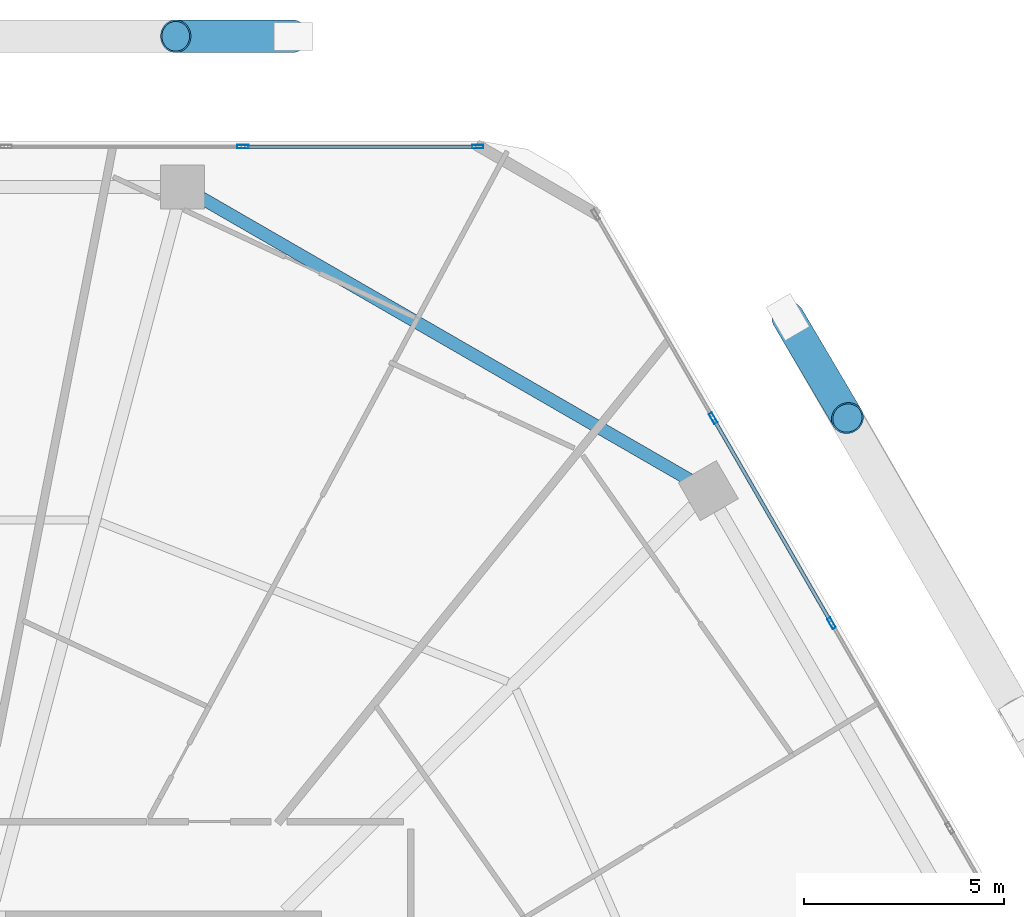
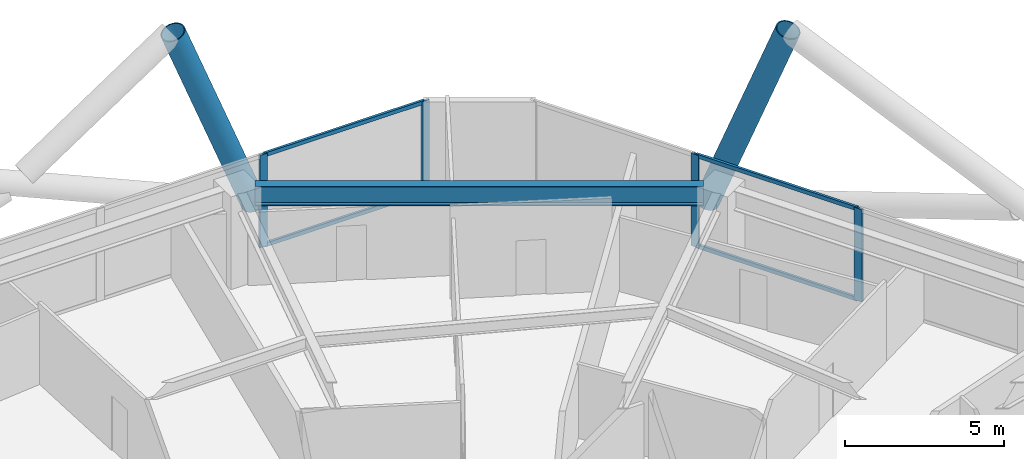
# One storey, part 25 of 36: 10 members, 1 beam, 2 elements without a shape of their own.
"""IFC4 building model written with IfcOpenShell, lengths in metres."""

from ifc_helpers import new_model, si_unit, direction, frame, origin, origin_2d, place, context, subcontext, project, spatial, hollow_rectangle, hollow_circle, i_section, extrude, material, material_profile, profile_set, type_object, element, aggregate, save


model = new_model("IFC4")

# Units and contexts
model_context = context("Model", 3, precision=1e-05, world=origin(), true_north=direction((0.0, 1.0)))
body_context = subcontext(model_context, "Body", "Model", "MODEL_VIEW")
ifc_project = project(units=[si_unit("LENGTHUNIT", "METRE"), si_unit("AREAUNIT", "SQUARE_METRE"), si_unit("VOLUMEUNIT", "CUBIC_METRE"), si_unit("PLANEANGLEUNIT", "RADIAN"), si_unit("MASSUNIT", "GRAM", prefix="KILO")], contexts=[model_context])

# Site, building, storey
site_placement = place(None, origin())
site = spatial("IfcSite", under=ifc_project, at=site_placement, CompositionType="ELEMENT")
building_placement = place(site_placement, origin())
building = spatial("IfcBuilding", under=site, at=building_placement, Name="Zuhravey Tower", CompositionType="ELEMENT")
storey_placement = place(building_placement, frame((0.0, 0.0, 107.60009765625)))
storey = spatial("IfcBuildingStorey", under=building, at=storey_placement, Name="L26", CompositionType="ELEMENT", Elevation=107.60009765625)

# Curtain wall, members
ifc_material_1 = material(Name="Thermally broken anodised aluminium", Category="aluminium")
curtain_wall_type = type_object("IfcCurtainWallType", Name="Zone 1-2 Residential Curtain Wall CW3", PredefinedType="NOTDEFINED", material=ifc_material_1)
curtain_wall_1_placement = place(storey_placement, origin())
curtain_wall_1 = element("IfcCurtainWall", 1, at=curtain_wall_1_placement, inside=storey, type_object=curtain_wall_type, Name="L26 CW3 CW-L26-F2-1", PredefinedType="NOTDEFINED")
ifc_material_2 = material(Name="Anodised aluminium", Category="aluminium")
ifc_material_profile_1 = material_profile(ifc_material_2, hollow_rectangle(XDim=0.090087890625, YDim=0.284912109375, WallThickness=0.0048828125, at=origin_2d()), Name="ALU-RHS-90x285x5")
ifc_profile_set_1 = profile_set([ifc_material_profile_1], Name="Anodised aluminium")
member_type_1 = type_object("IfcMemberType", Name="Curtain-Wall Mullion 90x180", PredefinedType="MULLION", material=ifc_profile_set_1)
member_1_placement = place(storey_placement, frame((44.879638671875, 60.95849609375, 0.0), z_axis=(0.0, 0.0, 1.0), x_axis=(0.0, 1.0, 0.0)))
member_1 = element("IfcMember", 2, at=member_1_placement, type_object=member_type_1, Name="CW3 mullion 5", PredefinedType="MULLION", context=body_context, shape_type="SweptSolid", body=[
    extrude(hollow_rectangle(XDim=0.090087890625, YDim=0.284912109375, WallThickness=0.0048828125, at=origin_2d()), origin(), (0.0, 0.0, 1.0), 3.5498046875),
])
member_2_placement = place(storey_placement, frame((50.75439453125, 60.95849609375, 0.0), z_axis=(0.0, 0.0, 1.0), x_axis=(0.0, 1.0, 0.0)))
member_2 = element("IfcMember", 3, at=member_2_placement, type_object=member_type_1, Name="CW3 mullion 6", PredefinedType="MULLION", context=body_context, shape_type="SweptSolid", body=[
    extrude(hollow_rectangle(XDim=0.090087890625, YDim=0.284912109375, WallThickness=0.0048828125, at=origin_2d()), origin(), (0.0, 0.0, 1.0), 3.5498046875),
])

curtain_wall_2_placement = place(storey_placement, origin())
curtain_wall_2 = element("IfcCurtainWall", 4, at=curtain_wall_2_placement, inside=storey, type_object=curtain_wall_type, Name="L26 CW3 CW-L26-F1-1", PredefinedType="NOTDEFINED")
member_3_placement = place(storey_placement, frame((56.638916015625, 54.169189453125, 0.0), z_axis=(0.0, 0.0, 1.0), x_axis=(0.86602552265, 0.499999794119, 0.0)))
member_3 = element("IfcMember", 5, at=member_3_placement, type_object=member_type_1, Name="CW3 mullion 2", PredefinedType="MULLION", context=body_context, shape_type="SweptSolid", body=[
    extrude(hollow_rectangle(XDim=0.090087890625, YDim=0.284912109375, WallThickness=0.0048828125, at=origin_2d()), origin(), (0.0, 0.0, 1.0), 3.5498046875),
])
member_4_placement = place(storey_placement, frame((59.598876953125, 49.04248046875, 0.0), z_axis=(0.0, 0.0, 1.0), x_axis=(0.86602552265, 0.499999794119, 0.0)))
member_4 = element("IfcMember", 6, at=member_4_placement, type_object=member_type_1, Name="CW3 mullion 3", PredefinedType="MULLION", context=body_context, shape_type="SweptSolid", body=[
    extrude(hollow_rectangle(XDim=0.090087890625, YDim=0.284912109375, WallThickness=0.0048828125, at=origin_2d()), origin(), (0.0, 0.0, 1.0), 3.5498046875),
])

# Member
ifc_material_profile_2 = material_profile(ifc_material_2, hollow_rectangle(XDim=0.090087890625, YDim=0.14990234375, WallThickness=0.0048828125, at=origin_2d()), Name="ALU-RHS-90x150x5")
ifc_profile_set_2 = profile_set([ifc_material_profile_2], Name="Anodised aluminium")
member_type_2 = type_object("IfcMemberType", Name="Curtain-Wall Transom 90x150", PredefinedType="USERDEFINED", material=ifc_profile_set_2)
member_5_placement = place(storey_placement, frame((44.9248046875, 60.95849609375, 0.044921875), z_axis=(1.0, 0.0, 0.0), x_axis=(0.0, 1.0, 0.0)))
member_5 = element("IfcMember", 7, at=member_5_placement, type_object=member_type_2, Name="CW3 transom 5.1", ObjectType="TRANSOM", PredefinedType="USERDEFINED", context=body_context, shape_type="SweptSolid", body=[
    extrude(hollow_rectangle(XDim=0.090087890625, YDim=0.14990234375, WallThickness=0.0048828125, at=origin_2d()), origin(), (0.0, 0.0, 1.0), 5.78466796875),
])

member_6_placement = place(storey_placement, frame((44.9248046875, 60.95849609375, 3.5048828125), z_axis=(1.0, 0.0, 0.0), x_axis=(0.0, 1.0, 0.0)))
member_6 = element("IfcMember", 8, at=member_6_placement, type_object=member_type_2, Name="CW3 transom 5.2", ObjectType="TRANSOM", PredefinedType="USERDEFINED", context=body_context, shape_type="SweptSolid", body=[
    extrude(hollow_rectangle(XDim=0.090087890625, YDim=0.14990234375, WallThickness=0.0048828125, at=origin_2d()), origin(), (0.0, 0.0, 1.0), 5.78466796875),
])

aggregate(curtain_wall_1, [member_1, member_2, member_5, member_6])

member_7_placement = place(storey_placement, frame((56.661376953125, 54.13037109375, 0.044921875), z_axis=(0.500012451049, -0.866018215049, 0.0), x_axis=(0.866018215049, 0.500012451049, 0.0)))
member_7 = element("IfcMember", 9, at=member_7_placement, type_object=member_type_2, Name="CW3 transom 2.1", ObjectType="TRANSOM", PredefinedType="USERDEFINED", context=body_context, shape_type="SweptSolid", body=[
    extrude(hollow_rectangle(XDim=0.090087890625, YDim=0.14990234375, WallThickness=0.0048828125, at=origin_2d()), origin(), (0.0, 0.0, 1.0), 5.829833984375),
])

member_8_placement = place(storey_placement, frame((56.661376953125, 54.13037109375, 3.5048828125), z_axis=(0.500012451049, -0.866018215049, 0.0), x_axis=(0.866018215049, 0.500012451049, 0.0)))
member_8 = element("IfcMember", 10, at=member_8_placement, type_object=member_type_2, Name="CW3 transom 2.2", ObjectType="TRANSOM", PredefinedType="USERDEFINED", context=body_context, shape_type="SweptSolid", body=[
    extrude(hollow_rectangle(XDim=0.090087890625, YDim=0.14990234375, WallThickness=0.0048828125, at=origin_2d()), origin(), (0.0, 0.0, 1.0), 5.829833984375),
])

aggregate(curtain_wall_2, [member_3, member_4, member_7, member_8])

# Members
ifc_material_3 = material(Name="Steel SM460", Category="steel")
ifc_material_profile_3 = material_profile(ifc_material_3, hollow_circle(Radius=0.406494140625, WallThickness=0.035888671875, at=origin_2d()), Name="CHS-812.8x36")
ifc_profile_set_3 = profile_set([ifc_material_profile_3], Name="Steel SM460")
member_type_3 = type_object("IfcMemberType", Name="Exoskeleton Zone 1 Diagrid CHS813x36", PredefinedType="BRACE", material=ifc_profile_set_3)
member_9_placement = place(storey_placement, frame((58.5087890625, 56.690673828125, -0.442138671875), z_axis=(0.183732280177, -0.310880561966, 0.932521166201), x_axis=(0.860889982927, 0.508791152926, 0.0)))
element("IfcMember", 11, at=member_9_placement, inside=storey, type_object=member_type_3, Name="L26 Face 1 Diagrid Brace 4", PredefinedType="BRACE", context=body_context, shape_type="SweptSolid", body=[
    extrude(hollow_circle(Radius=0.406494140625, WallThickness=0.035888671875, at=origin_2d()), origin(), (0.0, 0.0, 1.0), 8.10302734375),
])
member_10_placement = place(storey_placement, frame((46.128173828125, 63.718505859375, -0.442138671875), z_axis=(-0.361082010656, 0.0, 0.932534064569), x_axis=(0.0, -1.0, 0.0)))
element("IfcMember", 12, at=member_10_placement, inside=storey, type_object=member_type_3, Name="L26 Face 2 Diagrid Brace 1", PredefinedType="BRACE", context=body_context, shape_type="SweptSolid", body=[
    extrude(hollow_circle(Radius=0.406494140625, WallThickness=0.035888671875, at=origin_2d()), origin(), (0.0, 0.0, 1.0), 8.102783203125),
])

# Beam
ifc_material_4 = material(Name="Steel SM355", Category="steel")
ifc_material_profile_4 = material_profile(ifc_material_4, i_section(OverallWidth=0.320068359375, OverallDepth=0.75, WebThickness=0.013916015625, FlangeThickness=0.02490234375, at=origin_2d()), Name="H-750x320x14x25")
ifc_profile_set_4 = profile_set([ifc_material_profile_4], Name="Steel SM355")
beam_type = type_object("IfcBeamType", Name="Perimeter Ring Beam H750x320", PredefinedType="BEAM", material=ifc_profile_set_4)
beam_placement = place(storey_placement, frame((56.0400390625, 52.63330078125, 3.1748046875), z_axis=(-0.866017786538, 0.500013193225, 0.0), x_axis=(-0.500013193225, -0.866017786538, 0.0)))
element("IfcBeam", 13, at=beam_placement, inside=storey, type_object=beam_type, Name="L26 PB1 BM-L26-PB-02", PredefinedType="BEAM", context=body_context, shape_type="SweptSolid", body=[
    extrude(i_section(OverallWidth=0.320068359375, OverallDepth=0.75, WebThickness=0.013916015625, FlangeThickness=0.02490234375, at=origin_2d()), origin(), (0.0, 0.0, 1.0), 14.0771484375),
])

save(model, "model.ifc")
